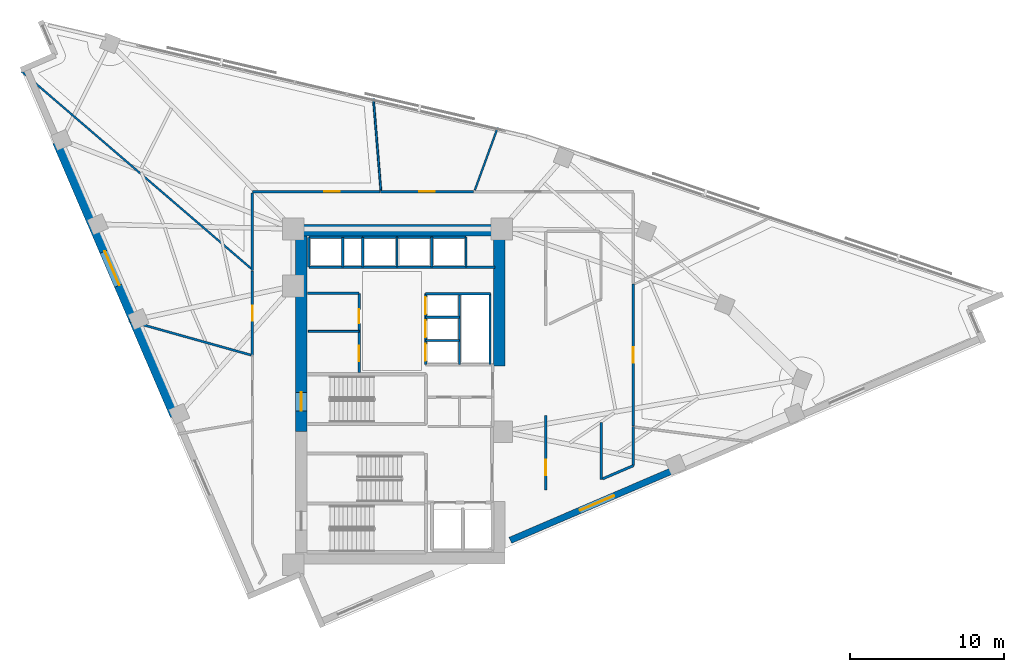
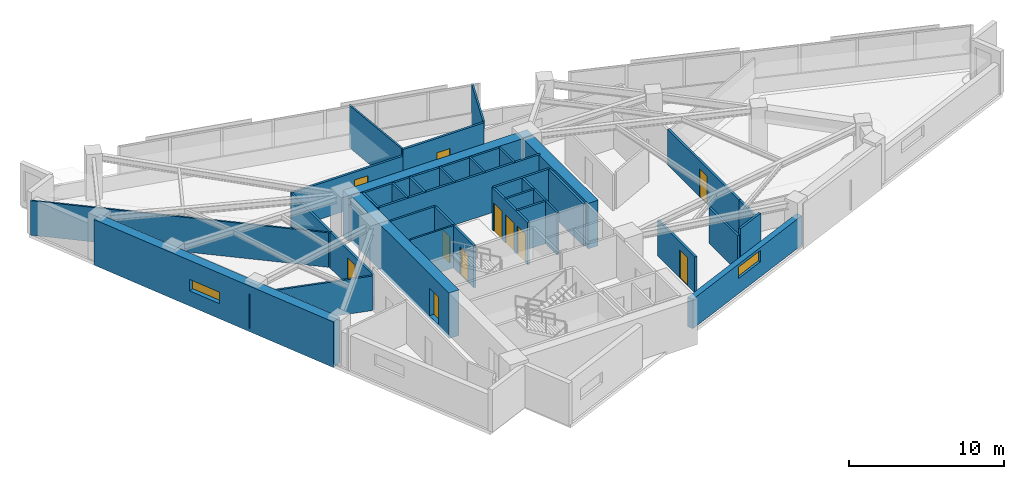
# One storey, part 10 of 14: 36 walls, 11 doors, 2 windows, 13 openings.
"""IFC4 building model written with IfcOpenShell, lengths in metres."""

import ifcopenshell
import ifcopenshell.guid

model = None  # the IFC model being written
_history = None  # IfcOwnerHistory: only IFC2X3 demands one
_inside = {}  # id of a spatial element -> (the spatial element, [elements in it])
_under = {}  # id of a project, library or spatial element -> (it, [spatial elements below it])
_declared = {}  # id of a project -> (the project, [libraries it declares])
_typed = {}  # id of a type object -> (the type object, [elements of that type])
_made_of = {}  # id of a material, layer set ... -> (it, [elements and type objects made of it])


def new_model(schema):
    """Start an empty IFC model of exactly this schema.

    Asked for "IFC4X3", IfcOpenShell would pick the latest addendum, in which some entities
    have other attributes; the version numbers below select the first issue.
    IFC2X3 requires an IfcOwnerHistory on every rooted entity: one is made here for all.
    """
    global model, _history
    if schema == "IFC4X3":
        model = ifcopenshell.file(schema_version=(4, 3, 0, 0))
    else:
        model = ifcopenshell.file(schema=schema)
    _inside.clear()
    _under.clear()
    _declared.clear()
    _typed.clear()
    _made_of.clear()
    _history = None
    if model.schema == "IFC2X3":
        org = make("IfcOrganization", Name="unknown")
        user = make(
            "IfcPersonAndOrganization",
            ThePerson=make("IfcPerson", FamilyName="unknown"),
            TheOrganization=org,
        )
        app = make(
            "IfcApplication",
            ApplicationDeveloper=org,
            Version="unknown",
            ApplicationFullName="unknown",
            ApplicationIdentifier="unknown",
        )
        _history = make(
            "IfcOwnerHistory",
            OwningUser=user,
            OwningApplication=app,
            ChangeAction="ADDED",
            CreationDate=0,
        )
    return model


def make(cls, **values):
    """One entity of the class cls with the attributes given. An attribute that is None is left unset."""
    return model.create_entity(
        cls, **{name: value for name, value in values.items() if value is not None}
    )


def rooted(cls, **values):
    """An entity with a GlobalId (a new one), such as an element, a storey or a relation."""
    return make(cls, GlobalId=ifcopenshell.guid.new(), OwnerHistory=_history, **values)


def si_unit(unit_type, name, prefix=None):
    """IfcSIUnit, for example si_unit("LENGTHUNIT", "METRE", prefix="MILLI")."""
    return make("IfcSIUnit", UnitType=unit_type, Prefix=prefix, Name=name)


def assignment(units):
    """IfcUnitAssignment: the units of a project."""
    return None if units is None else make("IfcUnitAssignment", Units=units)


def point(xyz):
    """IfcCartesianPoint."""
    return None if xyz is None else make("IfcCartesianPoint", Coordinates=xyz)


def direction(xyz):
    """IfcDirection."""
    return None if xyz is None else make("IfcDirection", DirectionRatios=xyz)


def frame(location, z_axis=None, x_axis=None):
    """IfcAxis2Placement3D, a coordinate frame: its origin and axes. An axis left out is left unset."""
    return make(
        "IfcAxis2Placement3D",
        Location=point(location),
        Axis=direction(z_axis),
        RefDirection=direction(x_axis),
    )


def frame_2d(location, x_axis=None):
    """IfcAxis2Placement2D, a coordinate frame in the plane: its origin and x axis."""
    return make(
        "IfcAxis2Placement2D", Location=point(location), RefDirection=direction(x_axis)
    )


def origin():
    """The frame at (0, 0, 0) with its axes left unset."""
    return frame((0.0, 0.0, 0.0))


def place(relative_to, where):
    """IfcLocalPlacement: puts the frame where relative to a parent placement (None: the world)."""
    return make(
        "IfcLocalPlacement", PlacementRelTo=relative_to, RelativePlacement=where
    )


def context(
    kind, dimensions, precision=None, world=None, true_north=None, identifier=None
):
    """IfcGeometricRepresentationContext, for example the 3D "Model" context."""
    return make(
        "IfcGeometricRepresentationContext",
        ContextIdentifier=identifier,
        ContextType=kind,
        CoordinateSpaceDimension=dimensions,
        Precision=precision,
        WorldCoordinateSystem=world,
        TrueNorth=true_north,
    )


def subcontext(parent, identifier, kind, view, scale=None):
    """IfcGeometricRepresentationSubContext, for example "Body" below "Model"."""
    return make(
        "IfcGeometricRepresentationSubContext",
        ContextIdentifier=identifier,
        ContextType=kind,
        ParentContext=parent,
        TargetScale=scale,
        TargetView=view,
    )


def project(units=None, contexts=None):
    """IfcProject with its units and contexts."""
    return rooted(
        "IfcProject",
        Name="project",
        RepresentationContexts=contexts,
        UnitsInContext=assignment(units),
    )


def spatial(cls, under=None, at=None, **own):
    """A site, building, storey or space (cls), placed at a placement, below another one or the project."""
    s = rooted(cls, ObjectPlacement=at, **own)
    if under is not None:
        _under.setdefault(under.id(), (under, []))[1].append(s)
    return s


def profile(cls, at=None, kind="AREA", **sizes):
    """A parametric profile (cls). Its sizes go by their IFC names, for example OverallWidth=200.0."""
    return make(cls, ProfileType=kind, Position=at, **sizes)


def rectangle(**sizes):
    """IfcRectangleProfileDef."""
    return profile("IfcRectangleProfileDef", **sizes)


def extrude(swept, where, along, depth):
    """IfcExtrudedAreaSolid: the profile swept, set in the frame where, extruded along a direction by depth."""
    return make(
        "IfcExtrudedAreaSolid",
        SweptArea=swept,
        Position=where,
        ExtrudedDirection=direction(along),
        Depth=depth,
    )


def shape(context_of_items, identifier, shape_type, items):
    """IfcShapeRepresentation: the items that make up one representation, for example the "Body"."""
    return make(
        "IfcShapeRepresentation",
        ContextOfItems=context_of_items,
        RepresentationIdentifier=identifier,
        RepresentationType=shape_type,
        Items=items,
    )


def material(Name=None, Category=None):
    """IfcMaterial."""
    return make("IfcMaterial", Name=Name, Category=Category)


def layer(
    of_material, thickness, ventilated=None, Name=None, Category=None, Priority=None
):
    """IfcMaterialLayer: one layer of a wall or slab, of a material (None: an air gap)."""
    return make(
        "IfcMaterialLayer",
        Material=of_material,
        LayerThickness=thickness,
        IsVentilated=ventilated,
        Name=Name,
        Category=Category,
        Priority=Priority,
    )


def layer_set(layers, Name=None):
    """IfcMaterialLayerSet."""
    return make("IfcMaterialLayerSet", MaterialLayers=layers, LayerSetName=Name)


def made_of(thing, what):
    """Note that an element or type object is made of a material, layer set ...; save() writes the relation."""
    if what is not None:
        _made_of.setdefault(what.id(), (what, []))[1].append(thing)
    return thing


def type_object(cls, material=None, **own):
    """A type object (cls), such as IfcWallType, which elements share."""
    return made_of(rooted(cls, **own), material)


def element(
    cls,
    number,
    at=None,
    inside=None,
    cuts=None,
    type_object=None,
    material=None,
    context=None,
    identifier="Body",
    shape_type=None,
    held_by="IfcProductDefinitionShape",
    body=None,
    shapes=None,
    **own,
):
    """One element of the class cls, such as IfcWall. Its Tag is "e" and its number.

    at: its placement. inside: the storey or other place that contains it. cuts: it is an
    opening in that element (IfcRelVoidsElement). A single representation is given by context,
    identifier, shape_type and body (its items); several are given by shapes. held_by: the class
    of the entity that holds the representations. save() writes the other relations.
    """
    e = rooted(cls, Tag="e%d" % number, ObjectPlacement=at, **own)
    if body is not None:
        shapes = [shape(context, identifier, shape_type, body)]
    if shapes is not None:
        e.Representation = make(held_by, Representations=shapes)
    if inside is not None:
        _inside.setdefault(inside.id(), (inside, []))[1].append(e)
    if cuts is not None:
        rooted(
            "IfcRelVoidsElement", RelatingBuildingElement=cuts, RelatedOpeningElement=e
        )
    if type_object is not None:
        _typed.setdefault(type_object.id(), (type_object, []))[1].append(e)
    return made_of(e, material)


def fill(opening, filler):
    """IfcRelFillsElement: the door or window that sits in an opening."""
    return rooted(
        "IfcRelFillsElement",
        RelatingOpeningElement=opening,
        RelatedBuildingElement=filler,
    )


def aggregate(whole, parts):
    """IfcRelAggregates: a whole, such as a stair, and the parts it consists of."""
    return rooted("IfcRelAggregates", RelatingObject=whole, RelatedObjects=parts)


def save(model, path):
    """Write the relations noted so far, then the file.

    IfcRelAggregates (storeys below a building ...), IfcRelContainedInSpatialStructure (elements
    in a storey), IfcRelDefinesByType, IfcRelAssociatesMaterial and IfcRelDeclares: one each for
    every whole, place, type object, material and project.
    """
    for whole, parts in _under.values():
        aggregate(whole, parts)
    for where, things in _inside.values():
        rooted(
            "IfcRelContainedInSpatialStructure",
            RelatedElements=things,
            RelatingStructure=where,
        )
    for kind, things in _typed.values():
        rooted("IfcRelDefinesByType", RelatedObjects=things, RelatingType=kind)
    for what, things in _made_of.values():
        rooted("IfcRelAssociatesMaterial", RelatedObjects=things, RelatingMaterial=what)
    for by, libraries in _declared.values():
        rooted("IfcRelDeclares", RelatingContext=by, RelatedDefinitions=libraries)
    model.write(path)


model = new_model("IFC4")

# Units and contexts
model_context = context("Model", 3, precision=1e-05, world=origin(), true_north=direction((0.0, 1.0)))
body_context = subcontext(model_context, "Body", "Model", "MODEL_VIEW")
ifc_project = project(units=[si_unit("LENGTHUNIT", "METRE"), si_unit("AREAUNIT", "SQUARE_METRE"), si_unit("VOLUMEUNIT", "CUBIC_METRE"), si_unit("PLANEANGLEUNIT", "RADIAN"), si_unit("MASSUNIT", "GRAM", prefix="KILO")], contexts=[model_context])

# Site, building, storey
site_placement = place(None, origin())
site = spatial("IfcSite", under=ifc_project, at=site_placement, CompositionType="ELEMENT")
building_placement = place(site_placement, origin())
building = spatial("IfcBuilding", under=site, at=building_placement, Name="Narakoshi Arena Tower", CompositionType="ELEMENT")
storey_placement = place(building_placement, frame((0.0, 0.0, 175.5)))
storey = spatial("IfcBuildingStorey", under=building, at=storey_placement, Name="L47", CompositionType="ELEMENT", Elevation=175.5)

# Wall, opening, door
ifc_material_1 = material(Name="Concrete C50/60", Category="concrete")
ifc_layer_1 = layer(ifc_material_1, 0.75)
ifc_layer_set_1 = layer_set([ifc_layer_1], Name="Concrete C50/60")
wall_type_1 = type_object("IfcWallType", Name="WL-CORE-750", PredefinedType="SHEAR", material=ifc_layer_set_1)
wall_1_placement = place(storey_placement, frame((72.52490234375, 43.35009765625, -0.260009765625), z_axis=(0.0, 0.0, 1.0), x_axis=(0.0, 1.0, 0.0)))
wall_1 = element("IfcWall", 1, at=wall_1_placement, inside=storey, type_object=wall_type_1, Name="L47 Main Core Shear Wall CW-MN-W", PredefinedType="SHEAR", context=body_context, shape_type="SweptSolid", body=[
    extrude(rectangle(XDim=12.699951171875, YDim=0.75, at=frame_2d((6.35009765625, 0.0))), origin(), (0.0, 0.0, 1.0), 3.60009765625),
])
opening_1_placement = place(wall_1_placement, frame((1.35009765625, 0.0, 0.260009765625)))
opening_1 = element("IfcOpeningElement", 2, at=opening_1_placement, cuts=wall_1, Name="Opening D-03", PredefinedType="OPENING", context=body_context, shape_type="SweptSolid", body=[
    extrude(rectangle(XDim=1.199951171875, YDim=2.199951171875, at=frame_2d((0.60009765625, 1.10009765625))), frame((0.0, 0.385009765625, 0.0), z_axis=(0.0, -1.0, 0.0), x_axis=(1.0, 0.0, 0.0)), (0.0, 0.0, 1.0), 0.77001953125),
])
ifc_material_2 = material(Name="Painted galvanized steel", Category="steel")
door_type_1 = type_object("IfcDoorType", Name="DR-STR-1200", OperationType="NOTDEFINED", PredefinedType="USERDEFINED", material=ifc_material_2)
door_1_placement = place(opening_1_placement, frame((1.199951171875, 0.0, 0.0), z_axis=(0.0, 0.0, 1.0), x_axis=(-1.0, 0.0, 0.0)))
door_1 = element("IfcDoor", 3, at=door_1_placement, inside=storey, type_object=door_type_1, Name="DR-L47-006", ObjectType="EXITDOOR", OperationType="SINGLE_SWING_LEFT", OverallHeight=2.199951171875, OverallWidth=1.199951171875, PredefinedType="USERDEFINED", context=body_context, shape_type="SweptSolid", body=[
    extrude(rectangle(XDim=1.199951171875, YDim=2.199951171875, at=frame_2d((0.60009765625, 1.10009765625))), frame((0.0, 0.02490234375, 0.0), z_axis=(0.0, -1.0, 0.0), x_axis=(1.0, 0.0, 0.0)), (0.0, 0.0, 1.0), 0.050048828125),
])
fill(opening_1, door_1)

# Walls
wall_2_placement = place(storey_placement, frame((72.0, 56.425048828125, -0.260009765625), z_axis=(0.0, 0.0, 1.0), x_axis=(1.0, 0.0, 0.0)))
element("IfcWall", 4, at=wall_2_placement, inside=storey, type_object=wall_type_1, Name="L47 Main Core Shear Wall CW-MN-N", PredefinedType="SHEAR", context=body_context, shape_type="SweptSolid", body=[
    extrude(rectangle(XDim=13.75, YDim=0.75, at=frame_2d((6.875, 0.0))), origin(), (0.0, 0.0, 1.0), 3.60009765625),
])
wall_3_placement = place(storey_placement, frame((85.375, 47.60009765625, -0.260009765625), z_axis=(0.0, 0.0, 1.0), x_axis=(0.0, 1.0, 0.0)))
element("IfcWall", 5, at=wall_3_placement, inside=storey, type_object=wall_type_1, Name="L47 Main Core Shear Wall CW-MN-E", PredefinedType="SHEAR", context=body_context, shape_type="SweptSolid", body=[
    extrude(rectangle(XDim=8.449951171875, YDim=0.75, at=frame_2d((4.22509765625, 0.0))), origin(), (0.0, 0.0, 1.0), 3.60009765625),
])

# Wall, opening, door
ifc_material_3 = material(Name="Gypsum plasterboard fire-rated partition")
ifc_layer_2 = layer(ifc_material_3, 0.1650390625)
ifc_layer_set_2 = layer_set([ifc_layer_2], Name="Gypsum plasterboard fire-rated partition")
wall_type_2 = type_object("IfcWallType", Name="WL-CORR-165", PredefinedType="PARTITIONING", material=ifc_layer_set_2)
wall_4_placement = place(storey_placement, frame((88.39990234375, 39.567626953125, 0.0), z_axis=(0.0, 0.0, 1.0), x_axis=(0.0, 1.0, 0.0)))
wall_4 = element("IfcWall", 6, at=wall_4_placement, inside=storey, type_object=wall_type_2, Name="L47 Corridor Partition 02-1", PredefinedType="PARTITIONING", context=body_context, shape_type="SweptSolid", body=[
    extrude(rectangle(XDim=4.828369140625, YDim=0.1650390625, at=frame_2d((2.4140625, 0.0))), origin(), (0.0, 0.0, 1.0), 2.824951171875),
])
opening_2_placement = place(wall_4_placement, frame((0.9541015625, 0.0, 0.0)))
opening_2 = element("IfcOpeningElement", 7, at=opening_2_placement, cuts=wall_4, Name="Opening D-06", PredefinedType="OPENING", context=body_context, shape_type="SweptSolid", body=[
    extrude(rectangle(XDim=1.0, YDim=2.199951171875, at=frame_2d((0.5, 1.10009765625))), frame((0.0, 0.092529296875, 0.0), z_axis=(0.0, -1.0, 0.0), x_axis=(1.0, 0.0, 0.0)), (0.0, 0.0, 1.0), 0.18505859375),
])
ifc_material_4 = material(Name="Stained oak solid-core timber", Category="wood")
door_type_2 = type_object("IfcDoorType", Name="DR-OFF-1000", OperationType="NOTDEFINED", PredefinedType="DOOR", material=ifc_material_4)
door_2_placement = place(opening_2_placement, frame((1.0, 0.0, 0.0), z_axis=(0.0, 0.0, 1.0), x_axis=(-1.0, 0.0, 0.0)))
door_2 = element("IfcDoor", 8, at=door_2_placement, inside=storey, type_object=door_type_2, Name="DR-L47-016", OperationType="SINGLE_SWING_RIGHT", OverallHeight=2.199951171875, OverallWidth=1.0, PredefinedType="DOOR", context=body_context, shape_type="SweptSolid", body=[
    extrude(rectangle(XDim=1.0, YDim=2.199951171875, at=frame_2d((0.5, 1.10009765625))), frame((0.0, 0.02490234375, 0.0), z_axis=(0.0, -1.0, 0.0), x_axis=(1.0, 0.0, 0.0)), (0.0, 0.0, 1.0), 0.050048828125),
])
fill(opening_2, door_2)

# Walls
wall_5_placement = place(storey_placement, frame((91.985107421875, 43.950927734375, 0.0), z_axis=(0.0, 0.0, 1.0), x_axis=(0.0, -1.0, 0.0)))
element("IfcWall", 9, at=wall_5_placement, inside=storey, type_object=wall_type_2, Name="L47 Corridor Partition 02-2", PredefinedType="PARTITIONING", context=body_context, shape_type="SweptSolid", body=[
    extrude(rectangle(XDim=3.71142578125, YDim=0.1650390625, at=frame_2d((1.855712890625, 0.0))), origin(), (0.0, 0.0, 1.0), 2.824951171875),
])
wall_6_placement = place(storey_placement, frame((94.0849609375, 41.141845703125, 0.0), z_axis=(0.0, 0.0, 1.0), x_axis=(0.0, 1.0, 0.0)))
element("IfcWall", 10, at=wall_6_placement, inside=storey, type_object=wall_type_2, Name="L47 Corridor Partition 02-3", PredefinedType="PARTITIONING", context=body_context, shape_type="SweptSolid", body=[
    extrude(rectangle(XDim=2.54833984375, YDim=0.1650390625, at=frame_2d((1.274169921875, 0.0))), origin(), (0.0, 0.0, 1.0), 2.824951171875),
])
wall_7_placement = place(storey_placement, frame((92.07958984375, 40.280029296875, 0.0), z_axis=(0.0, 0.0, 1.0), x_axis=(0.91875116165, 0.394837058756, 0.0)))
element("IfcWall", 11, at=wall_7_placement, inside=storey, type_object=wall_type_2, Name="L47 Corridor Partition 02-4", PredefinedType="PARTITIONING", context=body_context, shape_type="SweptSolid", body=[
    extrude(rectangle(XDim=2.1826171875, YDim=0.1650390625, at=frame_2d((1.09130859375, 0.0))), origin(), (0.0, 0.0, 1.0), 3.340087890625),
])

# Wall, opening, door
wall_8_placement = place(storey_placement, frame((94.0849609375, 43.71435546875, 0.0), z_axis=(0.0, 0.0, 1.0), x_axis=(0.0, 1.0, 0.0)))
wall_8 = element("IfcWall", 12, at=wall_8_placement, inside=storey, type_object=wall_type_2, Name="L47 Corridor Partition 03-1", PredefinedType="PARTITIONING", context=body_context, shape_type="SweptSolid", body=[
    extrude(rectangle(XDim=9.212158203125, YDim=0.1650390625, at=frame_2d((4.60595703125, 0.0))), origin(), (0.0, 0.0, 1.0), 2.824951171875),
])
opening_3_placement = place(wall_8_placement, frame((4.10595703125, 0.0, 0.0)))
opening_3 = element("IfcOpeningElement", 13, at=opening_3_placement, cuts=wall_8, Name="Opening D-06", PredefinedType="OPENING", context=body_context, shape_type="SweptSolid", body=[
    extrude(rectangle(XDim=1.0, YDim=2.199951171875, at=frame_2d((0.5, 1.10009765625))), frame((0.0, 0.092529296875, 0.0), z_axis=(0.0, -1.0, 0.0), x_axis=(1.0, 0.0, 0.0)), (0.0, 0.0, 1.0), 0.18505859375),
])
door_3_placement = place(opening_3_placement, frame((1.0, 0.0, 0.0), z_axis=(0.0, 0.0, 1.0), x_axis=(-1.0, 0.0, 0.0)))
door_3 = element("IfcDoor", 14, at=door_3_placement, inside=storey, type_object=door_type_2, Name="DR-L47-017", OperationType="SINGLE_SWING_LEFT", OverallHeight=2.199951171875, OverallWidth=1.0, PredefinedType="DOOR", context=body_context, shape_type="SweptSolid", body=[
    extrude(rectangle(XDim=1.0, YDim=2.199951171875, at=frame_2d((0.5, 1.10009765625))), frame((0.0, 0.02490234375, 0.0), z_axis=(0.0, -1.0, 0.0), x_axis=(1.0, 0.0, 0.0)), (0.0, 0.0, 1.0), 0.050048828125),
])
fill(opening_3, door_3)

wall_9_placement = place(storey_placement, frame((83.697021484375, 58.927978515625, 0.0), z_axis=(0.0, 0.0, 1.0), x_axis=(-1.0, 0.0, 0.0)))
wall_9 = element("IfcWall", 15, at=wall_9_placement, inside=storey, type_object=wall_type_2, Name="L47 Corridor Partition 06-1", PredefinedType="PARTITIONING", context=body_context, shape_type="SweptSolid", body=[
    extrude(rectangle(XDim=6.028564453125, YDim=0.1650390625, at=frame_2d((3.01416015625, 0.0))), origin(), (0.0, 0.0, 1.0), 3.340087890625),
])
opening_4_placement = place(wall_9_placement, frame((2.514404296875, 0.0, 0.0)))
opening_4 = element("IfcOpeningElement", 16, at=opening_4_placement, cuts=wall_9, Name="Opening D-06", PredefinedType="OPENING", context=body_context, shape_type="SweptSolid", body=[
    extrude(rectangle(XDim=1.0, YDim=2.199951171875, at=frame_2d((0.5, 1.10009765625))), frame((0.0, 0.092529296875, 0.0), z_axis=(0.0, -1.0, 0.0), x_axis=(1.0, 0.0, 0.0)), (0.0, 0.0, 1.0), 0.18505859375),
])
door_4_placement = place(opening_4_placement, frame((1.0, 0.0, 0.0), z_axis=(0.0, 0.0, 1.0), x_axis=(-1.0, 0.0, 0.0)))
door_4 = element("IfcDoor", 17, at=door_4_placement, inside=storey, type_object=door_type_2, Name="DR-L47-020", OperationType="SINGLE_SWING_RIGHT", OverallHeight=2.199951171875, OverallWidth=1.0, PredefinedType="DOOR", context=body_context, shape_type="SweptSolid", body=[
    extrude(rectangle(XDim=1.0, YDim=2.199951171875, at=frame_2d((0.5, 1.10009765625))), frame((0.0, 0.02490234375, 0.0), z_axis=(0.0, -1.0, 0.0), x_axis=(1.0, 0.0, 0.0)), (0.0, 0.0, 1.0), 0.050048828125),
])
fill(opening_4, door_4)

wall_10_placement = place(storey_placement, frame((77.644287109375, 58.927978515625, 0.0), z_axis=(0.0, 0.0, 1.0), x_axis=(-1.0, 0.0, 0.0)))
wall_10 = element("IfcWall", 18, at=wall_10_placement, inside=storey, type_object=wall_type_2, Name="L47 Corridor Partition 07-1", PredefinedType="PARTITIONING", context=body_context, shape_type="SweptSolid", body=[
    extrude(rectangle(XDim=8.279296875, YDim=0.1650390625, at=frame_2d((4.1396484375, 0.0))), origin(), (0.0, 0.0, 1.0), 2.824951171875),
])
opening_5_placement = place(wall_10_placement, frame((2.60791015625, 0.0, 0.0)))
opening_5 = element("IfcOpeningElement", 19, at=opening_5_placement, cuts=wall_10, Name="Opening D-06", PredefinedType="OPENING", context=body_context, shape_type="SweptSolid", body=[
    extrude(rectangle(XDim=1.0, YDim=2.199951171875, at=frame_2d((0.5, 1.10009765625))), frame((0.0, 0.092529296875, 0.0), z_axis=(0.0, -1.0, 0.0), x_axis=(1.0, 0.0, 0.0)), (0.0, 0.0, 1.0), 0.18505859375),
])
door_5_placement = place(opening_5_placement, frame((1.0, 0.0, 0.0), z_axis=(0.0, 0.0, 1.0), x_axis=(-1.0, 0.0, 0.0)))
door_5 = element("IfcDoor", 20, at=door_5_placement, inside=storey, type_object=door_type_2, Name="DR-L47-021", OperationType="SINGLE_SWING_LEFT", OverallHeight=2.199951171875, OverallWidth=1.0, PredefinedType="DOOR", context=body_context, shape_type="SweptSolid", body=[
    extrude(rectangle(XDim=1.0, YDim=2.199951171875, at=frame_2d((0.5, 1.10009765625))), frame((0.0, 0.02490234375, 0.0), z_axis=(0.0, -1.0, 0.0), x_axis=(1.0, 0.0, 0.0)), (0.0, 0.0, 1.0), 0.050048828125),
])
fill(opening_5, door_5)

# Wall
wall_11_placement = place(storey_placement, frame((69.364990234375, 58.83349609375, 0.0), z_axis=(0.0, 0.0, 1.0), x_axis=(0.0, -1.0, 0.0)))
element("IfcWall", 21, at=wall_11_placement, inside=storey, type_object=wall_type_2, Name="L47 Corridor Partition 07-2", PredefinedType="PARTITIONING", context=body_context, shape_type="SweptSolid", body=[
    extrude(rectangle(XDim=5.025146484375, YDim=0.1650390625, at=frame_2d((2.5126953125, 0.0))), origin(), (0.0, 0.0, 1.0), 2.824951171875),
])

# Wall, opening, door
wall_12_placement = place(storey_placement, frame((69.364990234375, 53.776611328125, 0.0), z_axis=(0.0, 0.0, 1.0), x_axis=(0.0, -1.0, 0.0)))
wall_12 = element("IfcWall", 22, at=wall_12_placement, inside=storey, type_object=wall_type_2, Name="L47 Corridor Partition 08-1", PredefinedType="PARTITIONING", context=body_context, shape_type="SweptSolid", body=[
    extrude(rectangle(XDim=5.487060546875, YDim=0.1650390625, at=frame_2d((2.74365234375, 0.0))), origin(), (0.0, 0.0, 1.0), 2.824951171875),
])
opening_6_placement = place(wall_12_placement, frame((2.243408203125, 0.0, 0.0)))
opening_6 = element("IfcOpeningElement", 23, at=opening_6_placement, cuts=wall_12, Name="Opening D-06", PredefinedType="OPENING", context=body_context, shape_type="SweptSolid", body=[
    extrude(rectangle(XDim=1.0, YDim=2.199951171875, at=frame_2d((0.5, 1.10009765625))), frame((0.0, 0.092529296875, 0.0), z_axis=(0.0, -1.0, 0.0), x_axis=(1.0, 0.0, 0.0)), (0.0, 0.0, 1.0), 0.18505859375),
])
door_6_placement = place(opening_6_placement, frame((1.0, 0.0, 0.0), z_axis=(0.0, 0.0, 1.0), x_axis=(-1.0, 0.0, 0.0)))
door_6 = element("IfcDoor", 24, at=door_6_placement, inside=storey, type_object=door_type_2, Name="DR-L47-022", OperationType="SINGLE_SWING_RIGHT", OverallHeight=2.199951171875, OverallWidth=1.0, PredefinedType="DOOR", context=body_context, shape_type="SweptSolid", body=[
    extrude(rectangle(XDim=1.0, YDim=2.199951171875, at=frame_2d((0.5, 1.10009765625))), frame((0.0, 0.02490234375, 0.0), z_axis=(0.0, -1.0, 0.0), x_axis=(1.0, 0.0, 0.0)), (0.0, 0.0, 1.0), 0.050048828125),
])
fill(opening_6, door_6)

# Wall, opening, window
ifc_material_5 = material(Name="Concrete C60/75", Category="concrete")
ifc_layer_3 = layer(ifc_material_5, 0.699951171875)
ifc_layer_set_3 = layer_set([ifc_layer_3], Name="Concrete C60/75")
wall_type_3 = type_object("IfcWallType", Name="WL-LEG-700", PredefinedType="SHEAR", material=ifc_layer_set_3)
wall_13_placement = place(storey_placement, frame((56.7275390625, 62.171875, -0.260009765625), z_axis=(0.0, 0.0, 1.0), x_axis=(0.394736752992, -0.918794261974, 0.0)))
wall_13 = element("IfcWall", 25, at=wall_13_placement, inside=storey, type_object=wall_type_3, Name="L47 Architectural Concrete Structural Wall LEGB-2", PredefinedType="SHEAR", context=body_context, shape_type="SweptSolid", body=[
    extrude(rectangle(XDim=19.3525390625, YDim=0.699951171875, at=frame_2d((9.67626953125, 0.0))), origin(), (0.0, 0.0, 1.0), 3.60009765625),
])
opening_7_placement = place(wall_13_placement, frame((7.747314453125, 0.0, 1.199951171875)))
opening_7 = element("IfcOpeningElement", 26, at=opening_7_placement, cuts=wall_13, Name="Opening WN-01", PredefinedType="OPENING", context=body_context, shape_type="SweptSolid", body=[
    extrude(rectangle(XDim=2.39990234375, YDim=0.89990234375, at=frame_2d((1.199951171875, 0.449951171875))), frame((0.0, 0.35986328125, 0.0), z_axis=(0.0, -1.0, 0.0), x_axis=(1.0, 0.0, 0.0)), (0.0, 0.0, 1.0), 0.719970703125),
])
ifc_material_6 = material(Name="Bronze-tinted low-E laminated glass", Category="glass")
window_type = type_object("IfcWindowType", Name="WIN-SLT-24x09", PartitioningType="SINGLE_PANEL", PredefinedType="WINDOW", material=ifc_material_6)
window_1_placement = place(opening_7_placement, origin())
window_1 = element("IfcWindow", 27, at=window_1_placement, inside=storey, type_object=window_type, Name="L47 LEGB2 Horizontal Slot Window 1", OverallHeight=0.89990234375, OverallWidth=2.39990234375, PartitioningType="SINGLE_PANEL", PredefinedType="WINDOW", context=body_context, shape_type="SweptSolid", body=[
    extrude(rectangle(XDim=2.39990234375, YDim=0.89990234375, at=frame_2d((1.199951171875, 0.449951171875))), frame((0.0, 0.030029296875, 0.0), z_axis=(0.0, -1.0, 0.0), x_axis=(1.0, 0.0, 0.0)), (0.0, 0.0, 1.0), 0.06005859375),
])
fill(opening_7, window_1)

# Walls
ifc_layer_4 = layer(ifc_material_3, 0.125)
ifc_layer_set_4 = layer_set([ifc_layer_4], Name="Gypsum plasterboard fire-rated partition")
wall_type_4 = type_object("IfcWallType", Name="WL-PART-125", PredefinedType="PARTITIONING", material=ifc_layer_set_4)
wall_14_placement = place(storey_placement, frame((73.0, 49.85009765625, 0.0), z_axis=(0.0, 0.0, 1.0), x_axis=(1.0, 0.0, 0.0)))
element("IfcWall", 28, at=wall_14_placement, inside=storey, type_object=wall_type_4, Name="L47 Core Wall RCL-LR-D0", PredefinedType="PARTITIONING", context=body_context, shape_type="SweptSolid", body=[
    extrude(rectangle(XDim=3.280029296875, YDim=0.125, at=frame_2d((1.64013671875, 0.0))), origin(), (0.0, 0.0, 1.0), 3.340087890625),
])
wall_15_placement = place(storey_placement, frame((83.79541015625, 59.0224609375, 0.0), z_axis=(0.0, 0.0, 1.0), x_axis=(0.343460112178, 0.939167264838, 0.0)))
element("IfcWall", 29, at=wall_15_placement, inside=storey, type_object=wall_type_4, Name="L47 Inter-Room Partition 05-06", PredefinedType="PARTITIONING", context=body_context, shape_type="SweptSolid", body=[
    extrude(rectangle(XDim=4.325439453125, YDim=0.125, at=frame_2d((2.16259765625, 0.0))), origin(), (0.0, 0.0, 1.0), 3.340087890625),
])
wall_16_placement = place(storey_placement, frame((77.696533203125, 59.0224609375, 0.0), z_axis=(0.0, 0.0, 1.0), x_axis=(-0.081384428972, 0.996682785404, 0.0)))
element("IfcWall", 30, at=wall_16_placement, inside=storey, type_object=wall_type_4, Name="L47 Inter-Room Partition 06-07", PredefinedType="PARTITIONING", context=body_context, shape_type="SweptSolid", body=[
    extrude(rectangle(XDim=5.960693359375, YDim=0.125, at=frame_2d((2.98046875, 0.0))), origin(), (0.0, 0.0, 1.0), 3.340087890625),
])
wall_17_placement = place(storey_placement, frame((69.2705078125, 53.937255859375, 0.0), z_axis=(0.0, 0.0, 1.0), x_axis=(-0.758583892444, 0.651575381767, 0.0)))
element("IfcWall", 31, at=wall_17_placement, inside=storey, type_object=wall_type_4, Name="L47 Inter-Room Partition 07-08", PredefinedType="PARTITIONING", context=body_context, shape_type="SweptSolid", body=[
    extrude(rectangle(XDim=19.609619140625, YDim=0.125, at=frame_2d((9.8046875, 0.0))), origin(), (0.0, 0.0, 1.0), 2.72509765625),
])

# Wall, opening, window
ifc_material_7 = material(Name="Precast concrete C45/55", Category="concrete")
ifc_layer_5 = layer(ifc_material_7, 0.419921875)
ifc_layer_set_5 = layer_set([ifc_layer_5], Name="Precast concrete C45/55")
wall_type_5 = type_object("IfcWallType", Name="WL-POD-420", PredefinedType="SOLIDWALL", material=ifc_layer_set_5)
wall_18_placement = place(storey_placement, frame((86.10009765625, 36.296142578125, 0.0), z_axis=(0.0, 0.0, 1.0), x_axis=(0.918792412723, 0.394741057306, 0.0)))
wall_18 = element("IfcWall", 32, at=wall_18_placement, inside=storey, type_object=wall_type_5, Name="L47 Architectural Concrete Facade Wall LEGA-2", PredefinedType="SOLIDWALL", context=body_context, shape_type="SweptSolid", body=[
    extrude(rectangle(XDim=11.79443359375, YDim=0.419921875, at=frame_2d((5.897216796875, 0.0))), origin(), (0.0, 0.0, 1.0), 2.324951171875),
])
opening_8_placement = place(wall_18_placement, frame((4.910888671875, 0.0, 1.199951171875)))
opening_8 = element("IfcOpeningElement", 33, at=opening_8_placement, cuts=wall_18, Name="Opening WN-01", PredefinedType="OPENING", context=body_context, shape_type="SweptSolid", body=[
    extrude(rectangle(XDim=2.39990234375, YDim=0.89990234375, at=frame_2d((1.199951171875, 0.449951171875))), frame((0.0, 0.219970703125, 0.0), z_axis=(0.0, -1.0, 0.0), x_axis=(1.0, 0.0, 0.0)), (0.0, 0.0, 1.0), 0.43994140625),
])
window_2_placement = place(opening_8_placement, origin())
window_2 = element("IfcWindow", 34, at=window_2_placement, inside=storey, type_object=window_type, Name="L47 LEGA2 Horizontal Slot Window 1", OverallHeight=0.89990234375, OverallWidth=2.39990234375, PartitioningType="SINGLE_PANEL", PredefinedType="WINDOW", context=body_context, shape_type="SweptSolid", body=[
    extrude(rectangle(XDim=2.39990234375, YDim=0.89990234375, at=frame_2d((1.199951171875, 0.449951171875))), frame((0.0, 0.030029296875, 0.0), z_axis=(0.0, -1.0, 0.0), x_axis=(1.0, 0.0, 0.0)), (0.0, 0.0, 1.0), 0.06005859375),
])
fill(opening_8, window_2)

# Walls
ifc_material_8 = material(Name="Concrete C40/50", Category="concrete")
ifc_layer_6 = layer(ifc_material_8, 0.280029296875)
ifc_layer_set_6 = layer_set([ifc_layer_6], Name="Concrete C40/50")
wall_type_6 = type_object("IfcWallType", Name="WL-RISER-280", PredefinedType="PLUMBINGWALL", material=ifc_layer_set_6)
for number, where, z_axis, x_axis, name in (
    (35, (80.60009765625, 49.260009765625, 0.0), (0.0, 0.0, 1.0), (1.0, 0.0, 0.0), "L47 Core Wall MR-D1"),
    (36, (80.60009765625, 50.780029296875, 0.0), (0.0, 0.0, 1.0), (1.0, 0.0, 0.0), "L47 Core Wall MR-D2"),
):
    element("IfcWall", number, at=place(storey_placement, frame(where, z_axis=z_axis, x_axis=x_axis)), inside=storey, type_object=wall_type_6, Name=name, PredefinedType="PLUMBINGWALL", context=body_context, shape_type="SweptSolid", body=[
        extrude(rectangle(XDim=2.199951171875, YDim=0.14990234375, at=frame_2d((1.10009765625, 0.0))), origin(), (0.0, 0.0, 1.0), 3.340087890625),
    ])
wall_19_placement = place(storey_placement, frame((82.800048828125, 47.699951171875, 0.0), z_axis=(0.0, 0.0, 1.0), x_axis=(0.0, 1.0, 0.0)))
element("IfcWall", 37, at=wall_19_placement, inside=storey, type_object=wall_type_6, Name="L47 Core Wall MR-E", PredefinedType="PLUMBINGWALL", context=body_context, shape_type="SweptSolid", body=[
    extrude(rectangle(XDim=4.60009765625, YDim=0.14990234375, at=frame_2d((2.300048828125, 0.0))), origin(), (0.0, 0.0, 1.0), 3.340087890625),
])
for number, where, z_axis, x_axis, name in (
    (38, (73.02001953125, 54.02001953125, 0.0), (0.0, 0.0, 1.0), (0.0, 1.0, 0.0), "L47 Core Wall OBS-W"),
    (39, (75.219970703125, 54.02001953125, 0.0), (0.0, 0.0, 1.0), (0.0, 1.0, 0.0), "L47 Core Wall OBS-M"),
):
    element("IfcWall", number, at=place(storey_placement, frame(where, z_axis=z_axis, x_axis=x_axis)), inside=storey, type_object=wall_type_6, Name=name, PredefinedType="PLUMBINGWALL", context=body_context, shape_type="SweptSolid", body=[
        extrude(rectangle(XDim=1.93994140625, YDim=0.14990234375, at=frame_2d((0.969970703125, 0.0))), origin(), (0.0, 0.0, 1.0), 3.340087890625),
    ])
for number, where, z_axis, x_axis, name in (
    (40, (78.75, 54.02001953125, 0.0), (0.0, 0.0, 1.0), (0.0, 1.0, 0.0), "L47 Core Wall HR-D1"),
    (41, (81.0, 54.02001953125, 0.0), (0.0, 0.0, 1.0), (0.0, 1.0, 0.0), "L47 Core Wall HR-D2"),
):
    element("IfcWall", number, at=place(storey_placement, frame(where, z_axis=z_axis, x_axis=x_axis)), inside=storey, type_object=wall_type_6, Name=name, PredefinedType="PLUMBINGWALL", context=body_context, shape_type="SweptSolid", body=[
        extrude(rectangle(XDim=1.9599609375, YDim=0.14990234375, at=frame_2d((0.97998046875, 0.0))), origin(), (0.0, 0.0, 1.0), 3.340087890625),
    ])

# Wall, openings, doors
ifc_layer_7 = layer(ifc_material_1, 0.35009765625)
ifc_layer_set_7 = layer_set([ifc_layer_7], Name="Concrete C50/60")
wall_type_7 = type_object("IfcWallType", Name="WL-SHAFT-350", PredefinedType="SOLIDWALL", material=ifc_layer_set_7)
wall_20_placement = place(storey_placement, frame((76.280029296875, 47.179931640625, 0.0), z_axis=(0.0, 0.0, 1.0), x_axis=(0.0, 1.0, 0.0)))
wall_20 = element("IfcWall", 42, at=wall_20_placement, inside=storey, type_object=wall_type_7, Name="L47 Core Wall LR-E", PredefinedType="SOLIDWALL", context=body_context, shape_type="SweptSolid", body=[
    extrude(rectangle(XDim=5.14013671875, YDim=0.159912109375, at=frame_2d((2.570068359375, 0.0))), origin(), (0.0, 0.0, 1.0), 3.340087890625),
])
opening_9_placement = place(wall_20_placement, frame((0.75, 0.0, 0.0)))
opening_9 = element("IfcOpeningElement", 43, at=opening_9_placement, cuts=wall_20, Name="Opening D-06", PredefinedType="OPENING", context=body_context, shape_type="SweptSolid", body=[
    extrude(rectangle(XDim=1.0, YDim=2.199951171875, at=frame_2d((0.5, 1.10009765625))), frame((0.0, 0.08984375, 0.0), z_axis=(0.0, -1.0, 0.0), x_axis=(1.0, 0.0, 0.0)), (0.0, 0.0, 1.0), 0.179931640625),
])
opening_10_placement = place(wall_20_placement, frame((3.199951171875, 0.0, 0.0)))
opening_10 = element("IfcOpeningElement", 44, at=opening_10_placement, cuts=wall_20, Name="Opening D-08", PredefinedType="OPENING", context=body_context, shape_type="SweptSolid", body=[
    extrude(rectangle(XDim=0.89990234375, YDim=2.10009765625, at=frame_2d((0.449951171875, 1.050048828125))), frame((0.0, 0.08984375, 0.0), z_axis=(0.0, -1.0, 0.0), x_axis=(1.0, 0.0, 0.0)), (0.0, 0.0, 1.0), 0.179931640625),
])
door_7_placement = place(opening_9_placement, frame((1.0, 0.0, 0.0), z_axis=(0.0, 0.0, 1.0), x_axis=(-1.0, 0.0, 0.0)))
door_7 = element("IfcDoor", 45, at=door_7_placement, inside=storey, type_object=door_type_2, Name="DR-L47-010", OperationType="SINGLE_SWING_LEFT", OverallHeight=2.199951171875, OverallWidth=1.0, PredefinedType="DOOR", context=body_context, shape_type="SweptSolid", body=[
    extrude(rectangle(XDim=1.0, YDim=2.199951171875, at=frame_2d((0.5, 1.10009765625))), frame((0.0, 0.02490234375, 0.0), z_axis=(0.0, -1.0, 0.0), x_axis=(1.0, 0.0, 0.0)), (0.0, 0.0, 1.0), 0.050048828125),
])
fill(opening_9, door_7)
ifc_material_9 = material(Name="Moisture-resistant laminate timber", Category="wood")
door_type_3 = type_object("IfcDoorType", Name="DR-WC-900", OperationType="NOTDEFINED", PredefinedType="DOOR", material=ifc_material_9)
door_8_placement = place(opening_10_placement, frame((0.89990234375, 0.0, 0.0), z_axis=(0.0, 0.0, 1.0), x_axis=(-1.0, 0.0, 0.0)))
door_8 = element("IfcDoor", 46, at=door_8_placement, inside=storey, type_object=door_type_3, Name="DR-L47-011", OperationType="SINGLE_SWING_RIGHT", OverallHeight=2.10009765625, OverallWidth=0.89990234375, PredefinedType="DOOR", context=body_context, shape_type="SweptSolid", body=[
    extrude(rectangle(XDim=0.89990234375, YDim=2.10009765625, at=frame_2d((0.449951171875, 1.050048828125))), frame((0.0, 0.02490234375, 0.0), z_axis=(0.0, -1.0, 0.0), x_axis=(1.0, 0.0, 0.0)), (0.0, 0.0, 1.0), 0.050048828125),
])
fill(opening_10, door_8)

# Wall
wall_21_placement = place(storey_placement, frame((72.949951171875, 52.320068359375, 0.0), z_axis=(0.0, 0.0, 1.0), x_axis=(1.0, 0.0, 0.0)))
element("IfcWall", 47, at=wall_21_placement, inside=storey, type_object=wall_type_7, Name="L47 Core Wall LR-N", PredefinedType="SOLIDWALL", context=body_context, shape_type="SweptSolid", body=[
    extrude(rectangle(XDim=3.330078125, YDim=0.14990234375, at=frame_2d((1.6650390625, 0.0))), origin(), (0.0, 0.0, 1.0), 3.340087890625),
])

# Wall, openings, doors
wall_22_placement = place(storey_placement, frame((80.60009765625, 47.699951171875, 0.0), z_axis=(0.0, 0.0, 1.0), x_axis=(0.0, 1.0, 0.0)))
wall_22 = element("IfcWall", 48, at=wall_22_placement, inside=storey, type_object=wall_type_7, Name="L47 Core Wall MR-W", PredefinedType="SOLIDWALL", context=body_context, shape_type="SweptSolid", body=[
    extrude(rectangle(XDim=4.60009765625, YDim=0.159912109375, at=frame_2d((2.300048828125, 0.0))), origin(), (0.0, 0.0, 1.0), 3.340087890625),
])
opening_11_placement = place(wall_22_placement, frame((0.239990234375, 0.0, 0.0)))
opening_11 = element("IfcOpeningElement", 49, at=opening_11_placement, cuts=wall_22, Name="Opening LD-01", PredefinedType="OPENING", context=body_context, shape_type="SweptSolid", body=[
    extrude(rectangle(XDim=1.10009765625, YDim=2.25, at=frame_2d((0.550048828125, 1.125))), frame((0.0, 0.08984375, 0.0), z_axis=(0.0, -1.0, 0.0), x_axis=(1.0, 0.0, 0.0)), (0.0, 0.0, 1.0), 0.179931640625),
])
opening_12_placement = place(wall_22_placement, frame((1.760009765625, 0.0, 0.0)))
opening_12 = element("IfcOpeningElement", 50, at=opening_12_placement, cuts=wall_22, Name="Opening LD-01", PredefinedType="OPENING", context=body_context, shape_type="SweptSolid", body=[
    extrude(rectangle(XDim=1.10009765625, YDim=2.25, at=frame_2d((0.550048828125, 1.125))), frame((0.0, 0.08984375, 0.0), z_axis=(0.0, -1.0, 0.0), x_axis=(1.0, 0.0, 0.0)), (0.0, 0.0, 1.0), 0.179931640625),
])
opening_13_placement = place(wall_22_placement, frame((3.280029296875, 0.0, 0.0)))
opening_13 = element("IfcOpeningElement", 51, at=opening_13_placement, cuts=wall_22, Name="Opening LD-01", PredefinedType="OPENING", context=body_context, shape_type="SweptSolid", body=[
    extrude(rectangle(XDim=1.10009765625, YDim=2.25, at=frame_2d((0.550048828125, 1.125))), frame((0.0, 0.08984375, 0.0), z_axis=(0.0, -1.0, 0.0), x_axis=(1.0, 0.0, 0.0)), (0.0, 0.0, 1.0), 0.179931640625),
])
ifc_material_10 = material(Name="Brushed bronze stainless steel", Category="steel")
door_type_4 = type_object("IfcDoorType", Name="DR-LFT-1100", OperationType="DOUBLE_DOOR_SLIDING", PredefinedType="DOOR", material=ifc_material_10)
door_9_placement = place(opening_11_placement, frame((1.10009765625, 0.0, 0.0), z_axis=(0.0, 0.0, 1.0), x_axis=(-1.0, 0.0, 0.0)))
door_9 = element("IfcDoor", 52, at=door_9_placement, inside=storey, type_object=door_type_4, Name="DR-L47-012", OperationType="DOUBLE_DOOR_SLIDING", OverallHeight=2.25, OverallWidth=1.10009765625, PredefinedType="DOOR", context=body_context, shape_type="SweptSolid", body=[
    extrude(rectangle(XDim=1.10009765625, YDim=2.25, at=frame_2d((0.550048828125, 1.125))), frame((0.0, 0.02490234375, 0.0), z_axis=(0.0, -1.0, 0.0), x_axis=(1.0, 0.0, 0.0)), (0.0, 0.0, 1.0), 0.050048828125),
])
fill(opening_11, door_9)
door_10_placement = place(opening_12_placement, frame((1.10009765625, 0.0, 0.0), z_axis=(0.0, 0.0, 1.0), x_axis=(-1.0, 0.0, 0.0)))
door_10 = element("IfcDoor", 53, at=door_10_placement, inside=storey, type_object=door_type_4, Name="DR-L47-013", OperationType="DOUBLE_DOOR_SLIDING", OverallHeight=2.25, OverallWidth=1.10009765625, PredefinedType="DOOR", context=body_context, shape_type="SweptSolid", body=[
    extrude(rectangle(XDim=1.10009765625, YDim=2.25, at=frame_2d((0.550048828125, 1.125))), frame((0.0, 0.02490234375, 0.0), z_axis=(0.0, -1.0, 0.0), x_axis=(1.0, 0.0, 0.0)), (0.0, 0.0, 1.0), 0.050048828125),
])
fill(opening_12, door_10)
door_11_placement = place(opening_13_placement, frame((1.10009765625, 0.0, 0.0), z_axis=(0.0, 0.0, 1.0), x_axis=(-1.0, 0.0, 0.0)))
door_11 = element("IfcDoor", 54, at=door_11_placement, inside=storey, type_object=door_type_4, Name="DR-L47-014", OperationType="DOUBLE_DOOR_SLIDING", OverallHeight=2.25, OverallWidth=1.10009765625, PredefinedType="DOOR", context=body_context, shape_type="SweptSolid", body=[
    extrude(rectangle(XDim=1.10009765625, YDim=2.25, at=frame_2d((0.550048828125, 1.125))), frame((0.0, 0.02490234375, 0.0), z_axis=(0.0, -1.0, 0.0), x_axis=(1.0, 0.0, 0.0)), (0.0, 0.0, 1.0), 0.050048828125),
])
fill(opening_13, door_11)

# Walls
wall_23_placement = place(storey_placement, frame((80.60009765625, 52.300048828125, 0.0), z_axis=(0.0, 0.0, 1.0), x_axis=(1.0, 0.0, 0.0)))
element("IfcWall", 55, at=wall_23_placement, inside=storey, type_object=wall_type_7, Name="L47 Core Wall MR-N", PredefinedType="SOLIDWALL", context=body_context, shape_type="SweptSolid", body=[
    extrude(rectangle(XDim=4.219970703125, YDim=0.159912109375, at=frame_2d((2.10986328125, 0.0))), origin(), (0.0, 0.0, 1.0), 3.340087890625),
])
wall_24_placement = place(storey_placement, frame((84.780029296875, 47.699951171875, 0.0), z_axis=(0.0, 0.0, 1.0), x_axis=(0.0, 1.0, 0.0)))
element("IfcWall", 56, at=wall_24_placement, inside=storey, type_object=wall_type_7, Name="L47 Core Wall MR-E2", PredefinedType="SOLIDWALL", context=body_context, shape_type="SweptSolid", body=[
    extrude(rectangle(XDim=4.60009765625, YDim=0.159912109375, at=frame_2d((2.300048828125, 0.0))), origin(), (0.0, 0.0, 1.0), 3.340087890625),
])
wall_25_placement = place(storey_placement, frame((73.02001953125, 54.02001953125, 0.0), z_axis=(0.0, 0.0, 1.0), x_axis=(1.0, 0.0, 0.0)))
element("IfcWall", 57, at=wall_25_placement, inside=storey, type_object=wall_type_7, Name="L47 Core Wall NSHF-S", PredefinedType="SOLIDWALL", context=body_context, shape_type="SweptSolid", body=[
    extrude(rectangle(XDim=12.080078125, YDim=0.159912109375, at=frame_2d((6.0400390625, 0.0))), origin(), (0.0, 0.0, 1.0), 3.340087890625),
])
wall_26_placement = place(storey_placement, frame((73.02001953125, 55.9599609375, 0.0), z_axis=(0.0, 0.0, 1.0), x_axis=(1.0, 0.0, 0.0)))
element("IfcWall", 58, at=wall_26_placement, inside=storey, type_object=wall_type_7, Name="L47 Core Wall OBS-N", PredefinedType="SOLIDWALL", context=body_context, shape_type="SweptSolid", body=[
    extrude(rectangle(XDim=3.5, YDim=0.14990234375, at=frame_2d((1.75, 0.0))), origin(), (0.0, 0.0, 1.0), 3.340087890625),
])
wall_27_placement = place(storey_placement, frame((76.52001953125, 54.02001953125, 0.0), z_axis=(0.0, 0.0, 1.0), x_axis=(0.0, 1.0, 0.0)))
element("IfcWall", 59, at=wall_27_placement, inside=storey, type_object=wall_type_7, Name="L47 Core Wall OBS-E", PredefinedType="SOLIDWALL", context=body_context, shape_type="SweptSolid", body=[
    extrude(rectangle(XDim=1.93994140625, YDim=0.14990234375, at=frame_2d((0.969970703125, 0.0))), origin(), (0.0, 0.0, 1.0), 3.340087890625),
])
wall_28_placement = place(storey_placement, frame((83.219970703125, 54.02001953125, 0.0), z_axis=(0.0, 0.0, 1.0), x_axis=(0.0, 1.0, 0.0)))
element("IfcWall", 60, at=wall_28_placement, inside=storey, type_object=wall_type_7, Name="L47 Core Wall HR-E", PredefinedType="SOLIDWALL", context=body_context, shape_type="SweptSolid", body=[
    extrude(rectangle(XDim=1.9599609375, YDim=0.14990234375, at=frame_2d((0.97998046875, 0.0))), origin(), (0.0, 0.0, 1.0), 3.340087890625),
])
wall_29_placement = place(storey_placement, frame((76.52001953125, 55.9599609375, 0.0), z_axis=(0.0, 0.0, 1.0), x_axis=(1.0, 0.0, 0.0)))
element("IfcWall", 61, at=wall_29_placement, inside=storey, type_object=wall_type_7, Name="L47 Core Wall HR-N", PredefinedType="SOLIDWALL", context=body_context, shape_type="SweptSolid", body=[
    extrude(rectangle(XDim=6.699951171875, YDim=0.14990234375, at=frame_2d((3.35009765625, 0.0))), origin(), (0.0, 0.0, 1.0), 3.340087890625),
])
ifc_material_11 = material(Name="Moisture-resistant cement-board partition")
ifc_layer_8 = layer(ifc_material_11, 0.14501953125)
ifc_layer_set_8 = layer_set([ifc_layer_8], Name="Moisture-resistant cement-board partition")
wall_type_8 = type_object("IfcWallType", Name="WL-WET-145", PredefinedType="PARTITIONING", material=ifc_layer_set_8)
wall_30_placement = place(storey_placement, frame((69.2705078125, 48.316162109375, 0.0), z_axis=(0.0, 0.0, 1.0), x_axis=(-0.962939367868, 0.269717952331, 0.0)))
element("IfcWall", 62, at=wall_30_placement, inside=storey, type_object=wall_type_8, Name="L47 Inter-Room Partition 08-09", PredefinedType="PARTITIONING", context=body_context, shape_type="SweptSolid", body=[
    extrude(rectangle(XDim=8.229736328125, YDim=0.14501953125, at=frame_2d((4.11474609375, 0.0))), origin(), (0.0, 0.0, 1.0), 2.72509765625),
])

save(model, "model.ifc")
